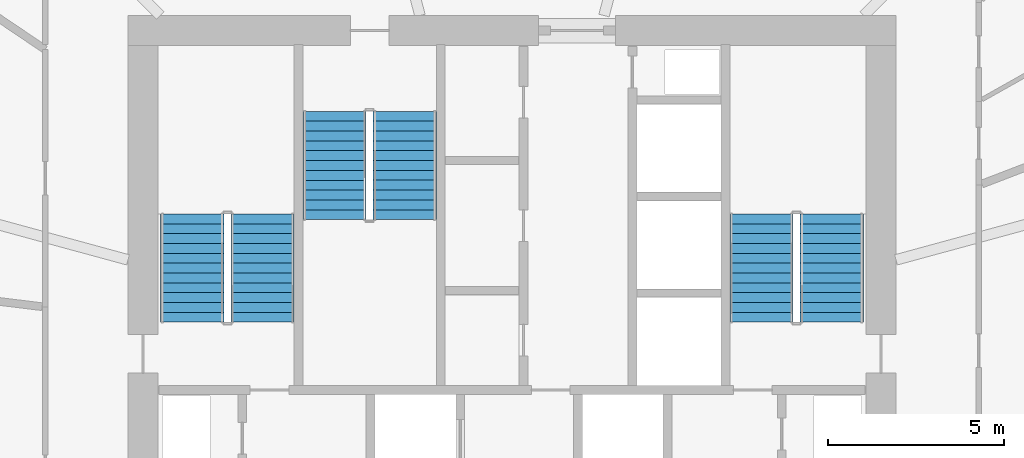
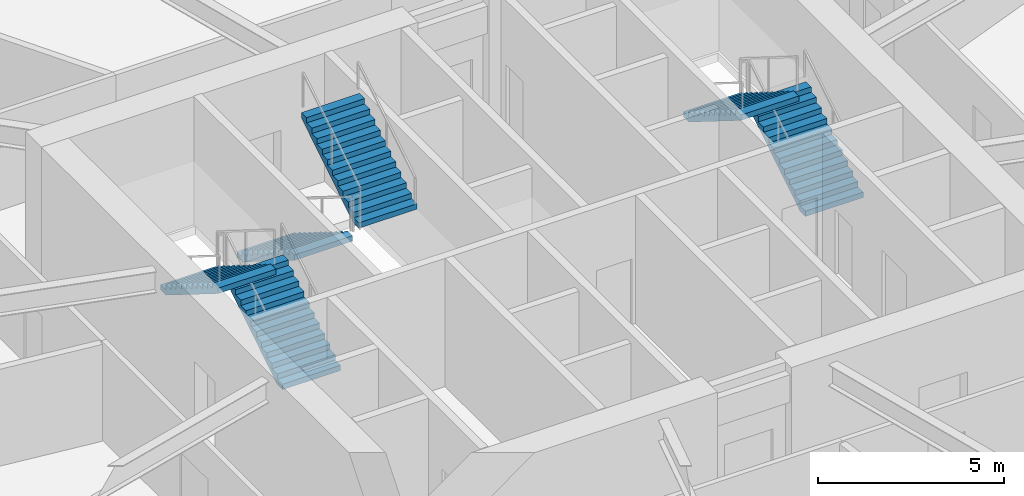
# One storey, part 24 of 25: 6 stair flights, 3 elements without a shape of their own.
"""IFC4 building model written with IfcOpenShell, lengths in metres."""

from ifc_helpers import new_model, si_unit, direction, frame, origin, place, context, subcontext, project, spatial, polyline, outline, extrude, material, type_object, element, aggregate, save


model = new_model("IFC4")

# Units and contexts
model_context = context("Model", 3, precision=1e-05, world=origin(), true_north=direction((0.0, 1.0)))
body_context = subcontext(model_context, "Body", "Model", "MODEL_VIEW")
ifc_project = project(units=[si_unit("LENGTHUNIT", "METRE"), si_unit("AREAUNIT", "SQUARE_METRE"), si_unit("VOLUMEUNIT", "CUBIC_METRE"), si_unit("PLANEANGLEUNIT", "RADIAN"), si_unit("MASSUNIT", "GRAM", prefix="KILO")], contexts=[model_context])

# Site, building, storey
site_placement = place(None, origin())
site = spatial("IfcSite", under=ifc_project, at=site_placement, CompositionType="ELEMENT")
building_placement = place(site_placement, origin())
building = spatial("IfcBuilding", under=site, at=building_placement, Name="Zuhravey Tower", CompositionType="ELEMENT")
storey_placement = place(building_placement, frame((0.0, 0.0, 20.39990234375)))
storey = spatial("IfcBuildingStorey", under=building, at=storey_placement, Name="L05", CompositionType="ELEMENT", Elevation=20.39990234375)

# Stair, stair flights
ifc_material = material(Name="Concrete C40/50", Category="concrete")
stair_type = type_object("IfcStairType", Name="School Storey Stair Assembly 4200", PredefinedType="HALF_TURN_STAIR", material=ifc_material)
stair_1_placement = place(storey_placement, origin())
stair_1 = element("IfcStair", 1, at=stair_1_placement, inside=storey, type_object=stair_type, Name="L05 Core Exit Stair ST1", PredefinedType="HALF_TURN_STAIR")
stair_flight_type = type_object("IfcStairFlightType", Name="School Storey Stair Flight 4200", PredefinedType="STRAIGHT", material=ifc_material)
stair_flight_1_placement = place(storey_placement, frame((28.89990234375, 33.199951171875, 0.0), z_axis=(0.0, 0.0, 1.0), x_axis=(0.0, 1.0, 0.0)))
stair_flight_1 = element("IfcStairFlight", 2, at=stair_flight_1_placement, type_object=stair_flight_type, Name="ST1 flight 1", NumberOfRisers=12, NumberOfTreads=11, PredefinedType="STRAIGHT", RiserHeight=0.175, TreadLength=0.28, context=body_context, shape_type="SweptSolid", body=[
    extrude(outline(polyline([(0.0, 0.0), (0.0, 0.175048828125), (0.280029296875, 0.175048828125), (0.280029296875, 0.35009765625), (0.56005859375, 0.35009765625), (0.56005859375, 0.52490234375), (0.840087890625, 0.52490234375), (0.840087890625, 0.699951171875), (1.1201171875, 0.699951171875), (1.1201171875, 0.875), (1.39990234375, 0.875), (1.39990234375, 1.050048828125), (1.679931640625, 1.050048828125), (1.679931640625, 1.22509765625), (1.9599609375, 1.22509765625), (1.9599609375, 1.39990234375), (2.239990234375, 1.39990234375), (2.239990234375, 1.574951171875), (2.52001953125, 1.574951171875), (2.52001953125, 1.75), (2.800048828125, 1.75), (2.800048828125, 1.925048828125), (3.080078125, 1.925048828125), (3.080078125, 2.10009765625), (3.080078125, 1.748291015625), (0.28271484375, 0.0), (0.0, 0.0)])), frame((0.0, 0.89990234375, 0.0), z_axis=(0.0, -1.0, 0.0), x_axis=(1.0, 0.0, 0.0)), (0.0, 0.0, 1.0), 1.800048828125),
])
stair_flight_2_placement = place(storey_placement, frame((26.89990234375, 36.280029296875, 2.10009765625), z_axis=(0.0, 0.0, 1.0), x_axis=(0.0, -1.0, 0.0)))
stair_flight_2 = element("IfcStairFlight", 3, at=stair_flight_2_placement, type_object=stair_flight_type, Name="ST1 flight 2", NumberOfRisers=12, NumberOfTreads=11, PredefinedType="STRAIGHT", RiserHeight=0.175, TreadLength=0.28, context=body_context, shape_type="SweptSolid", body=[
    extrude(outline(polyline([(0.0, 0.0), (0.0, 0.175048828125), (0.280029296875, 0.175048828125), (0.280029296875, 0.35009765625), (0.56005859375, 0.35009765625), (0.56005859375, 0.52490234375), (0.840087890625, 0.52490234375), (0.840087890625, 0.699951171875), (1.1201171875, 0.699951171875), (1.1201171875, 0.875), (1.39990234375, 0.875), (1.39990234375, 1.050048828125), (1.679931640625, 1.050048828125), (1.679931640625, 1.22509765625), (1.9599609375, 1.22509765625), (1.9599609375, 1.39990234375), (2.239990234375, 1.39990234375), (2.239990234375, 1.574951171875), (2.52001953125, 1.574951171875), (2.52001953125, 1.75), (2.800048828125, 1.75), (2.800048828125, 1.925048828125), (3.080078125, 1.925048828125), (3.080078125, 2.10009765625), (3.080078125, 1.748291015625), (0.28271484375, 0.0), (0.0, 0.0)])), frame((0.0, 0.89990234375, 0.0), z_axis=(0.0, -1.0, 0.0), x_axis=(1.0, 0.0, 0.0)), (0.0, 0.0, 1.0), 1.800048828125),
])
aggregate(stair_1, [stair_flight_1, stair_flight_2])

stair_2_placement = place(storey_placement, origin())
stair_2 = element("IfcStair", 4, at=stair_2_placement, inside=storey, type_object=stair_type, Name="L05 Core Exit Stair ST2", PredefinedType="HALF_TURN_STAIR")
stair_flight_3_placement = place(storey_placement, frame((45.10009765625, 33.199951171875, 0.0), z_axis=(0.0, 0.0, 1.0), x_axis=(0.0, 1.0, 0.0)))
stair_flight_3 = element("IfcStairFlight", 5, at=stair_flight_3_placement, type_object=stair_flight_type, Name="ST2 flight 1", NumberOfRisers=12, NumberOfTreads=11, PredefinedType="STRAIGHT", RiserHeight=0.175, TreadLength=0.28, context=body_context, shape_type="SweptSolid", body=[
    extrude(outline(polyline([(0.0, 0.0), (0.0, 0.175048828125), (0.280029296875, 0.175048828125), (0.280029296875, 0.35009765625), (0.56005859375, 0.35009765625), (0.56005859375, 0.52490234375), (0.840087890625, 0.52490234375), (0.840087890625, 0.699951171875), (1.1201171875, 0.699951171875), (1.1201171875, 0.875), (1.39990234375, 0.875), (1.39990234375, 1.050048828125), (1.679931640625, 1.050048828125), (1.679931640625, 1.22509765625), (1.9599609375, 1.22509765625), (1.9599609375, 1.39990234375), (2.239990234375, 1.39990234375), (2.239990234375, 1.574951171875), (2.52001953125, 1.574951171875), (2.52001953125, 1.75), (2.800048828125, 1.75), (2.800048828125, 1.925048828125), (3.080078125, 1.925048828125), (3.080078125, 2.10009765625), (3.080078125, 1.748291015625), (0.28271484375, 0.0), (0.0, 0.0)])), frame((0.0, 0.89990234375, 0.0), z_axis=(0.0, -1.0, 0.0), x_axis=(1.0, 0.0, 0.0)), (0.0, 0.0, 1.0), 1.800048828125),
])
stair_flight_4_placement = place(storey_placement, frame((43.10009765625, 36.280029296875, 2.10009765625), z_axis=(0.0, 0.0, 1.0), x_axis=(0.0, -1.0, 0.0)))
stair_flight_4 = element("IfcStairFlight", 6, at=stair_flight_4_placement, type_object=stair_flight_type, Name="ST2 flight 2", NumberOfRisers=12, NumberOfTreads=11, PredefinedType="STRAIGHT", RiserHeight=0.175, TreadLength=0.28, context=body_context, shape_type="SweptSolid", body=[
    extrude(outline(polyline([(0.0, 0.0), (0.0, 0.175048828125), (0.280029296875, 0.175048828125), (0.280029296875, 0.35009765625), (0.56005859375, 0.35009765625), (0.56005859375, 0.52490234375), (0.840087890625, 0.52490234375), (0.840087890625, 0.699951171875), (1.1201171875, 0.699951171875), (1.1201171875, 0.875), (1.39990234375, 0.875), (1.39990234375, 1.050048828125), (1.679931640625, 1.050048828125), (1.679931640625, 1.22509765625), (1.9599609375, 1.22509765625), (1.9599609375, 1.39990234375), (2.239990234375, 1.39990234375), (2.239990234375, 1.574951171875), (2.52001953125, 1.574951171875), (2.52001953125, 1.75), (2.800048828125, 1.75), (2.800048828125, 1.925048828125), (3.080078125, 1.925048828125), (3.080078125, 2.10009765625), (3.080078125, 1.748291015625), (0.28271484375, 0.0), (0.0, 0.0)])), frame((0.0, 0.89990234375, 0.0), z_axis=(0.0, -1.0, 0.0), x_axis=(1.0, 0.0, 0.0)), (0.0, 0.0, 1.0), 1.800048828125),
])
aggregate(stair_2, [stair_flight_3, stair_flight_4])

stair_3_placement = place(storey_placement, origin())
stair_3 = element("IfcStair", 7, at=stair_3_placement, inside=storey, type_object=stair_type, Name="L05 Core Exit Stair ST3", PredefinedType="HALF_TURN_STAIR")
stair_flight_5_placement = place(storey_placement, frame((30.949951171875, 39.199951171875, 0.0), z_axis=(0.0, 0.0, 1.0), x_axis=(0.0, -1.0, 0.0)))
stair_flight_5 = element("IfcStairFlight", 8, at=stair_flight_5_placement, type_object=stair_flight_type, Name="ST3 flight 1", NumberOfRisers=12, NumberOfTreads=11, PredefinedType="STRAIGHT", RiserHeight=0.175, TreadLength=0.28, context=body_context, shape_type="SweptSolid", body=[
    extrude(outline(polyline([(0.0, 0.0), (0.0, 0.175048828125), (0.280029296875, 0.175048828125), (0.280029296875, 0.35009765625), (0.56005859375, 0.35009765625), (0.56005859375, 0.52490234375), (0.840087890625, 0.52490234375), (0.840087890625, 0.699951171875), (1.1201171875, 0.699951171875), (1.1201171875, 0.875), (1.39990234375, 0.875), (1.39990234375, 1.050048828125), (1.679931640625, 1.050048828125), (1.679931640625, 1.22509765625), (1.9599609375, 1.22509765625), (1.9599609375, 1.39990234375), (2.239990234375, 1.39990234375), (2.239990234375, 1.574951171875), (2.52001953125, 1.574951171875), (2.52001953125, 1.75), (2.800048828125, 1.75), (2.800048828125, 1.925048828125), (3.080078125, 1.925048828125), (3.080078125, 2.10009765625), (3.080078125, 1.748291015625), (0.28271484375, 0.0), (0.0, 0.0)])), frame((0.0, 0.89990234375, 0.0), z_axis=(0.0, -1.0, 0.0), x_axis=(1.0, 0.0, 0.0)), (0.0, 0.0, 1.0), 1.800048828125),
])
stair_flight_6_placement = place(storey_placement, frame((32.949951171875, 36.1201171875, 2.10009765625), z_axis=(0.0, 0.0, 1.0), x_axis=(0.0, 1.0, 0.0)))
stair_flight_6 = element("IfcStairFlight", 9, at=stair_flight_6_placement, type_object=stair_flight_type, Name="ST3 flight 2", NumberOfRisers=12, NumberOfTreads=11, PredefinedType="STRAIGHT", RiserHeight=0.175, TreadLength=0.28, context=body_context, shape_type="SweptSolid", body=[
    extrude(outline(polyline([(0.0, 0.0), (0.0, 0.175048828125), (0.280029296875, 0.175048828125), (0.280029296875, 0.35009765625), (0.56005859375, 0.35009765625), (0.56005859375, 0.52490234375), (0.840087890625, 0.52490234375), (0.840087890625, 0.699951171875), (1.1201171875, 0.699951171875), (1.1201171875, 0.875), (1.39990234375, 0.875), (1.39990234375, 1.050048828125), (1.679931640625, 1.050048828125), (1.679931640625, 1.22509765625), (1.9599609375, 1.22509765625), (1.9599609375, 1.39990234375), (2.239990234375, 1.39990234375), (2.239990234375, 1.574951171875), (2.52001953125, 1.574951171875), (2.52001953125, 1.75), (2.800048828125, 1.75), (2.800048828125, 1.925048828125), (3.080078125, 1.925048828125), (3.080078125, 2.10009765625), (3.080078125, 1.748291015625), (0.28271484375, 0.0), (0.0, 0.0)])), frame((0.0, 0.89990234375, 0.0), z_axis=(0.0, -1.0, 0.0), x_axis=(1.0, 0.0, 0.0)), (0.0, 0.0, 1.0), 1.800048828125),
])
aggregate(stair_3, [stair_flight_5, stair_flight_6])

save(model, "model.ifc")
